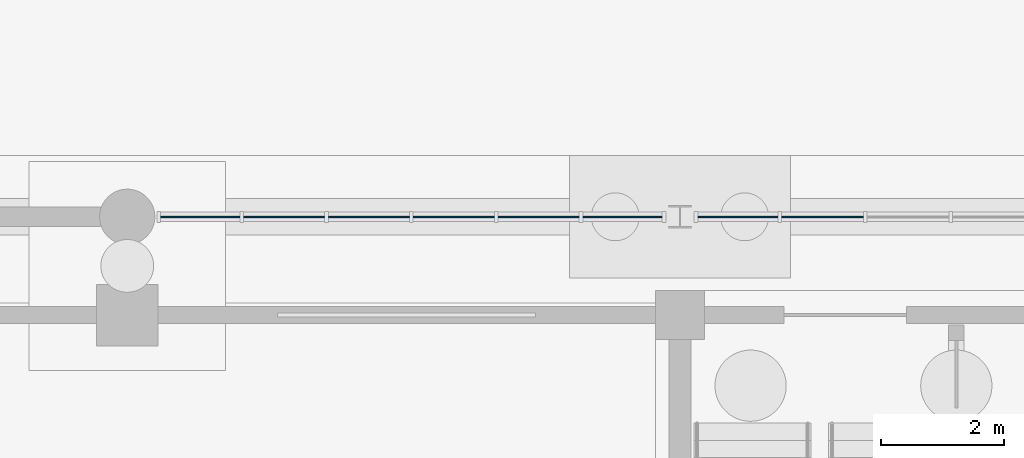
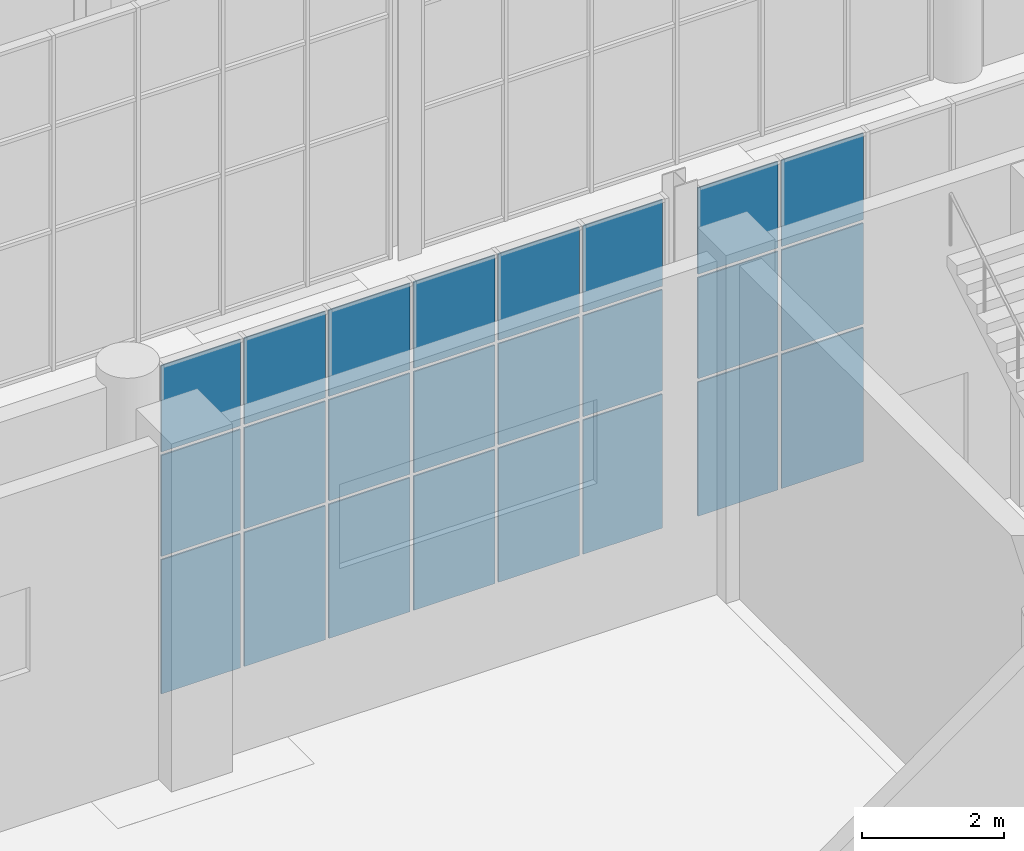
# One storey, part 90 of 131: 24 plates, 2 elements without a shape of their own.
"""IFC4 building model written with IfcOpenShell, lengths in metres."""

from ifc_helpers import new_model, si_unit, direction, frame, origin, origin_2d, place, context, subcontext, project, spatial, rectangle, extrude, material, layer, layer_set, type_object, element, aggregate, save


model = new_model("IFC4")

# Units and contexts
model_context = context("Model", 3, precision=1e-05, world=origin(), true_north=direction((0.0, 1.0)))
body_context = subcontext(model_context, "Body", "Model", "MODEL_VIEW")
ifc_project = project(units=[si_unit("LENGTHUNIT", "METRE"), si_unit("AREAUNIT", "SQUARE_METRE"), si_unit("VOLUMEUNIT", "CUBIC_METRE"), si_unit("PLANEANGLEUNIT", "RADIAN"), si_unit("MASSUNIT", "GRAM", prefix="KILO")], contexts=[model_context])

# Site, building, storey
site_placement = place(None, origin())
site = spatial("IfcSite", under=ifc_project, at=site_placement, CompositionType="ELEMENT")
building_placement = place(site_placement, origin())
building = spatial("IfcBuilding", under=site, at=building_placement, Name="Cazmaro Siding Exhibition Halls", CompositionType="ELEMENT")
storey_placement = place(building_placement, origin())
storey = spatial("IfcBuildingStorey", under=building, at=storey_placement, Name="L00", CompositionType="ELEMENT", Elevation=0.0)

# Curtain wall, plates
ifc_material_1 = material(Name="Anodized Bronze Aluminum and Solar-Control Low-E Glazing", Category="aluminium")
ifc_layer_1 = layer(ifc_material_1, 0.179931640625)
ifc_layer_set_1 = layer_set([ifc_layer_1], Name="Anodized Bronze Aluminum and Solar-Control Low-E Glazing")
curtain_wall_type = type_object("IfcCurtainWallType", Name="CWS-01", PredefinedType="USERDEFINED", material=ifc_layer_set_1)
curtain_wall_1_placement = place(storey_placement, origin())
curtain_wall_1 = element("IfcCurtainWall", 1, at=curtain_wall_1_placement, inside=storey, type_object=curtain_wall_type, Name="Glazed Curtain Wall CWS-01 CW-190", ObjectType="GLAZED CURTAIN WALL", PredefinedType="USERDEFINED")
ifc_material_2 = material(Name="Solar-Control Low-E Double Insulating Glass", Category="glass")
ifc_layer_2 = layer(ifc_material_2, 0.02392578125)
ifc_layer_set_2 = layer_set([ifc_layer_2], Name="Solar-Control Low-E Double Insulating Glass")
plate_type = type_object("IfcPlateType", Name="CWP-01", PredefinedType="CURTAIN_PANEL", material=ifc_layer_set_2)
plate_1_placement = place(storey_placement, frame((127.1884765625, 55.199951171875, 0.06005859375), z_axis=(0.0, 0.0, 1.0), x_axis=(1.0, 0.0, 0.0)))
plate_1 = element("IfcPlate", 2, at=plate_1_placement, type_object=plate_type, Name="CWS-01 panel 1.1", PredefinedType="CURTAIN_PANEL", context=body_context, shape_type="SweptSolid", body=[
    extrude(rectangle(XDim=1.291259765625, YDim=0.02392578125, at=origin_2d()), origin(), (0.0, 0.0, 1.0), 2.31005859375),
])
plate_2_placement = place(storey_placement, frame((127.1884765625, 55.199951171875, 2.43017578125), z_axis=(0.0, 0.0, 1.0), x_axis=(1.0, 0.0, 0.0)))
plate_2 = element("IfcPlate", 3, at=plate_2_placement, type_object=plate_type, Name="CWS-01 panel 1.2", PredefinedType="CURTAIN_PANEL", context=body_context, shape_type="SweptSolid", body=[
    extrude(rectangle(XDim=1.291259765625, YDim=0.02392578125, at=origin_2d()), origin(), (0.0, 0.0, 1.0), 1.739990234375),
])
plate_3_placement = place(storey_placement, frame((127.1884765625, 55.199951171875, 4.22998046875), z_axis=(0.0, 0.0, 1.0), x_axis=(1.0, 0.0, 0.0)))
plate_3 = element("IfcPlate", 4, at=plate_3_placement, type_object=plate_type, Name="CWS-01 panel 1.3", PredefinedType="CURTAIN_PANEL", context=body_context, shape_type="SweptSolid", body=[
    extrude(rectangle(XDim=1.291259765625, YDim=0.02392578125, at=origin_2d()), origin(), (0.0, 0.0, 1.0), 1.489990234375),
])
plate_4_placement = place(storey_placement, frame((128.5546875, 55.199951171875, 0.06005859375), z_axis=(0.0, 0.0, 1.0), x_axis=(1.0, 0.0, 0.0)))
plate_4 = element("IfcPlate", 5, at=plate_4_placement, type_object=plate_type, Name="CWS-01 panel 2.1", PredefinedType="CURTAIN_PANEL", context=body_context, shape_type="SweptSolid", body=[
    extrude(rectangle(XDim=1.321044921875, YDim=0.02392578125, at=origin_2d()), origin(), (0.0, 0.0, 1.0), 2.31005859375),
])
plate_5_placement = place(storey_placement, frame((128.5546875, 55.199951171875, 2.43017578125), z_axis=(0.0, 0.0, 1.0), x_axis=(1.0, 0.0, 0.0)))
plate_5 = element("IfcPlate", 6, at=plate_5_placement, type_object=plate_type, Name="CWS-01 panel 2.2", PredefinedType="CURTAIN_PANEL", context=body_context, shape_type="SweptSolid", body=[
    extrude(rectangle(XDim=1.321044921875, YDim=0.02392578125, at=origin_2d()), origin(), (0.0, 0.0, 1.0), 1.739990234375),
])
plate_6_placement = place(storey_placement, frame((128.5546875, 55.199951171875, 4.22998046875), z_axis=(0.0, 0.0, 1.0), x_axis=(1.0, 0.0, 0.0)))
plate_6 = element("IfcPlate", 7, at=plate_6_placement, type_object=plate_type, Name="CWS-01 panel 2.3", PredefinedType="CURTAIN_PANEL", context=body_context, shape_type="SweptSolid", body=[
    extrude(rectangle(XDim=1.321044921875, YDim=0.02392578125, at=origin_2d()), origin(), (0.0, 0.0, 1.0), 1.489990234375),
])
plate_7_placement = place(storey_placement, frame((129.93603515625, 55.199951171875, 0.06005859375), z_axis=(0.0, 0.0, 1.0), x_axis=(1.0, 0.0, 0.0)))
plate_7 = element("IfcPlate", 8, at=plate_7_placement, type_object=plate_type, Name="CWS-01 panel 3.1", PredefinedType="CURTAIN_PANEL", context=body_context, shape_type="SweptSolid", body=[
    extrude(rectangle(XDim=1.321044921875, YDim=0.02392578125, at=origin_2d()), origin(), (0.0, 0.0, 1.0), 2.31005859375),
])
plate_8_placement = place(storey_placement, frame((129.93603515625, 55.199951171875, 2.43017578125), z_axis=(0.0, 0.0, 1.0), x_axis=(1.0, 0.0, 0.0)))
plate_8 = element("IfcPlate", 9, at=plate_8_placement, type_object=plate_type, Name="CWS-01 panel 3.2", PredefinedType="CURTAIN_PANEL", context=body_context, shape_type="SweptSolid", body=[
    extrude(rectangle(XDim=1.321044921875, YDim=0.02392578125, at=origin_2d()), origin(), (0.0, 0.0, 1.0), 1.739990234375),
])
plate_9_placement = place(storey_placement, frame((129.93603515625, 55.199951171875, 4.22998046875), z_axis=(0.0, 0.0, 1.0), x_axis=(1.0, 0.0, 0.0)))
plate_9 = element("IfcPlate", 10, at=plate_9_placement, type_object=plate_type, Name="CWS-01 panel 3.3", PredefinedType="CURTAIN_PANEL", context=body_context, shape_type="SweptSolid", body=[
    extrude(rectangle(XDim=1.321044921875, YDim=0.02392578125, at=origin_2d()), origin(), (0.0, 0.0, 1.0), 1.489990234375),
])
plate_10_placement = place(storey_placement, frame((131.317138671875, 55.199951171875, 0.06005859375), z_axis=(0.0, 0.0, 1.0), x_axis=(1.0, 0.0, 0.0)))
plate_10 = element("IfcPlate", 11, at=plate_10_placement, type_object=plate_type, Name="CWS-01 panel 4.1", PredefinedType="CURTAIN_PANEL", context=body_context, shape_type="SweptSolid", body=[
    extrude(rectangle(XDim=1.321044921875, YDim=0.02392578125, at=origin_2d()), origin(), (0.0, 0.0, 1.0), 2.31005859375),
])
plate_11_placement = place(storey_placement, frame((131.317138671875, 55.199951171875, 2.43017578125), z_axis=(0.0, 0.0, 1.0), x_axis=(1.0, 0.0, 0.0)))
plate_11 = element("IfcPlate", 12, at=plate_11_placement, type_object=plate_type, Name="CWS-01 panel 4.2", PredefinedType="CURTAIN_PANEL", context=body_context, shape_type="SweptSolid", body=[
    extrude(rectangle(XDim=1.321044921875, YDim=0.02392578125, at=origin_2d()), origin(), (0.0, 0.0, 1.0), 1.739990234375),
])
plate_12_placement = place(storey_placement, frame((131.317138671875, 55.199951171875, 4.22998046875), z_axis=(0.0, 0.0, 1.0), x_axis=(1.0, 0.0, 0.0)))
plate_12 = element("IfcPlate", 13, at=plate_12_placement, type_object=plate_type, Name="CWS-01 panel 4.3", PredefinedType="CURTAIN_PANEL", context=body_context, shape_type="SweptSolid", body=[
    extrude(rectangle(XDim=1.321044921875, YDim=0.02392578125, at=origin_2d()), origin(), (0.0, 0.0, 1.0), 1.489990234375),
])
plate_13_placement = place(storey_placement, frame((132.6982421875, 55.199951171875, 0.06005859375), z_axis=(0.0, 0.0, 1.0), x_axis=(1.0, 0.0, 0.0)))
plate_13 = element("IfcPlate", 14, at=plate_13_placement, type_object=plate_type, Name="CWS-01 panel 5.1", PredefinedType="CURTAIN_PANEL", context=body_context, shape_type="SweptSolid", body=[
    extrude(rectangle(XDim=1.321044921875, YDim=0.02392578125, at=origin_2d()), origin(), (0.0, 0.0, 1.0), 2.31005859375),
])
plate_14_placement = place(storey_placement, frame((132.6982421875, 55.199951171875, 2.43017578125), z_axis=(0.0, 0.0, 1.0), x_axis=(1.0, 0.0, 0.0)))
plate_14 = element("IfcPlate", 15, at=plate_14_placement, type_object=plate_type, Name="CWS-01 panel 5.2", PredefinedType="CURTAIN_PANEL", context=body_context, shape_type="SweptSolid", body=[
    extrude(rectangle(XDim=1.321044921875, YDim=0.02392578125, at=origin_2d()), origin(), (0.0, 0.0, 1.0), 1.739990234375),
])
plate_15_placement = place(storey_placement, frame((132.6982421875, 55.199951171875, 4.22998046875), z_axis=(0.0, 0.0, 1.0), x_axis=(1.0, 0.0, 0.0)))
plate_15 = element("IfcPlate", 16, at=plate_15_placement, type_object=plate_type, Name="CWS-01 panel 5.3", PredefinedType="CURTAIN_PANEL", context=body_context, shape_type="SweptSolid", body=[
    extrude(rectangle(XDim=1.321044921875, YDim=0.02392578125, at=origin_2d()), origin(), (0.0, 0.0, 1.0), 1.489990234375),
])
plate_16_placement = place(storey_placement, frame((134.064453125, 55.199951171875, 0.06005859375), z_axis=(0.0, 0.0, 1.0), x_axis=(1.0, 0.0, 0.0)))
plate_16 = element("IfcPlate", 17, at=plate_16_placement, type_object=plate_type, Name="CWS-01 panel 6.1", PredefinedType="CURTAIN_PANEL", context=body_context, shape_type="SweptSolid", body=[
    extrude(rectangle(XDim=1.291259765625, YDim=0.02392578125, at=origin_2d()), origin(), (0.0, 0.0, 1.0), 2.31005859375),
])
plate_17_placement = place(storey_placement, frame((134.064453125, 55.199951171875, 2.43017578125), z_axis=(0.0, 0.0, 1.0), x_axis=(1.0, 0.0, 0.0)))
plate_17 = element("IfcPlate", 18, at=plate_17_placement, type_object=plate_type, Name="CWS-01 panel 6.2", PredefinedType="CURTAIN_PANEL", context=body_context, shape_type="SweptSolid", body=[
    extrude(rectangle(XDim=1.291259765625, YDim=0.02392578125, at=origin_2d()), origin(), (0.0, 0.0, 1.0), 1.739990234375),
])
plate_18_placement = place(storey_placement, frame((134.064453125, 55.199951171875, 4.22998046875), z_axis=(0.0, 0.0, 1.0), x_axis=(1.0, 0.0, 0.0)))
plate_18 = element("IfcPlate", 19, at=plate_18_placement, type_object=plate_type, Name="CWS-01 panel 6.3", PredefinedType="CURTAIN_PANEL", context=body_context, shape_type="SweptSolid", body=[
    extrude(rectangle(XDim=1.291259765625, YDim=0.02392578125, at=origin_2d()), origin(), (0.0, 0.0, 1.0), 1.489990234375),
])
aggregate(curtain_wall_1, [plate_1, plate_2, plate_3, plate_4, plate_5, plate_6, plate_7, plate_8, plate_9, plate_10, plate_11, plate_12, plate_13, plate_14, plate_15, plate_16, plate_17, plate_18])

curtain_wall_2_placement = place(storey_placement, origin())
curtain_wall_2 = element("IfcCurtainWall", 20, at=curtain_wall_2_placement, inside=storey, type_object=curtain_wall_type, Name="Glazed Curtain Wall CWS-01 CW-196", ObjectType="GLAZED CURTAIN WALL", PredefinedType="USERDEFINED")
plate_19_placement = place(storey_placement, frame((135.94189453125, 55.199951171875, 0.06005859375), z_axis=(0.0, 0.0, 1.0), x_axis=(1.0, 0.0, 0.0)))
plate_19 = element("IfcPlate", 21, at=plate_19_placement, type_object=plate_type, Name="CWS-01 panel 1.1", PredefinedType="CURTAIN_PANEL", context=body_context, shape_type="SweptSolid", body=[
    extrude(rectangle(XDim=1.3037109375, YDim=0.02392578125, at=origin_2d()), origin(), (0.0, 0.0, 1.0), 2.31005859375),
])
plate_20_placement = place(storey_placement, frame((135.94189453125, 55.199951171875, 2.43017578125), z_axis=(0.0, 0.0, 1.0), x_axis=(1.0, 0.0, 0.0)))
plate_20 = element("IfcPlate", 22, at=plate_20_placement, type_object=plate_type, Name="CWS-01 panel 1.2", PredefinedType="CURTAIN_PANEL", context=body_context, shape_type="SweptSolid", body=[
    extrude(rectangle(XDim=1.3037109375, YDim=0.02392578125, at=origin_2d()), origin(), (0.0, 0.0, 1.0), 1.739990234375),
])
plate_21_placement = place(storey_placement, frame((135.94189453125, 55.199951171875, 4.22998046875), z_axis=(0.0, 0.0, 1.0), x_axis=(1.0, 0.0, 0.0)))
plate_21 = element("IfcPlate", 23, at=plate_21_placement, type_object=plate_type, Name="CWS-01 panel 1.3", PredefinedType="CURTAIN_PANEL", context=body_context, shape_type="SweptSolid", body=[
    extrude(rectangle(XDim=1.3037109375, YDim=0.02392578125, at=origin_2d()), origin(), (0.0, 0.0, 1.0), 1.489990234375),
])
plate_22_placement = place(storey_placement, frame((137.320556640625, 55.199951171875, 0.06005859375), z_axis=(0.0, 0.0, 1.0), x_axis=(1.0, 0.0, 0.0)))
plate_22 = element("IfcPlate", 24, at=plate_22_placement, type_object=plate_type, Name="CWS-01 panel 2.1", PredefinedType="CURTAIN_PANEL", context=body_context, shape_type="SweptSolid", body=[
    extrude(rectangle(XDim=1.333740234375, YDim=0.02392578125, at=origin_2d()), origin(), (0.0, 0.0, 1.0), 2.31005859375),
])
plate_23_placement = place(storey_placement, frame((137.320556640625, 55.199951171875, 2.43017578125), z_axis=(0.0, 0.0, 1.0), x_axis=(1.0, 0.0, 0.0)))
plate_23 = element("IfcPlate", 25, at=plate_23_placement, type_object=plate_type, Name="CWS-01 panel 2.2", PredefinedType="CURTAIN_PANEL", context=body_context, shape_type="SweptSolid", body=[
    extrude(rectangle(XDim=1.333740234375, YDim=0.02392578125, at=origin_2d()), origin(), (0.0, 0.0, 1.0), 1.739990234375),
])
plate_24_placement = place(storey_placement, frame((137.320556640625, 55.199951171875, 4.22998046875), z_axis=(0.0, 0.0, 1.0), x_axis=(1.0, 0.0, 0.0)))
plate_24 = element("IfcPlate", 26, at=plate_24_placement, type_object=plate_type, Name="CWS-01 panel 2.3", PredefinedType="CURTAIN_PANEL", context=body_context, shape_type="SweptSolid", body=[
    extrude(rectangle(XDim=1.333740234375, YDim=0.02392578125, at=origin_2d()), origin(), (0.0, 0.0, 1.0), 1.489990234375),
])
aggregate(curtain_wall_2, [plate_19, plate_20, plate_21, plate_22, plate_23, plate_24])

save(model, "model.ifc")
